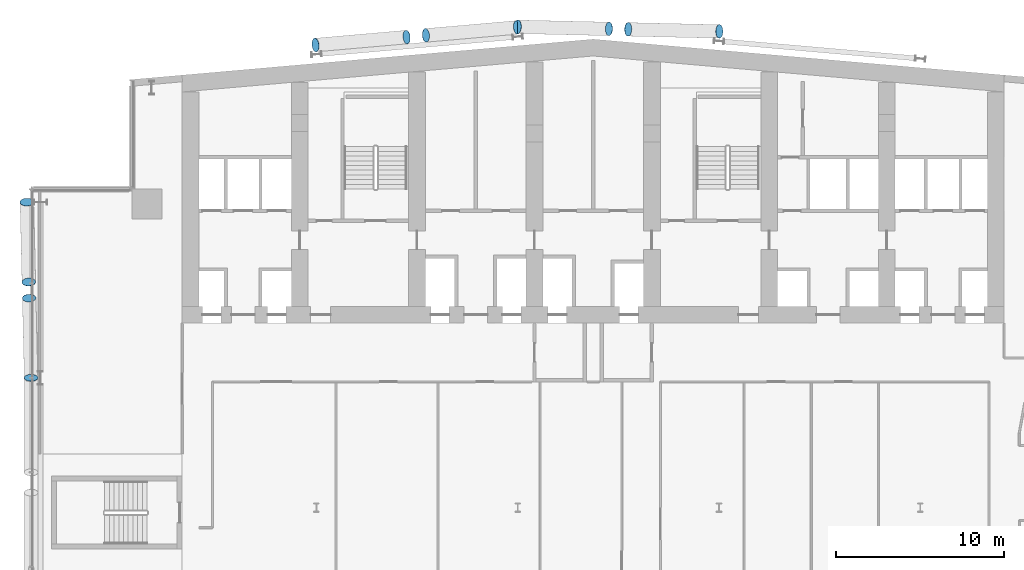
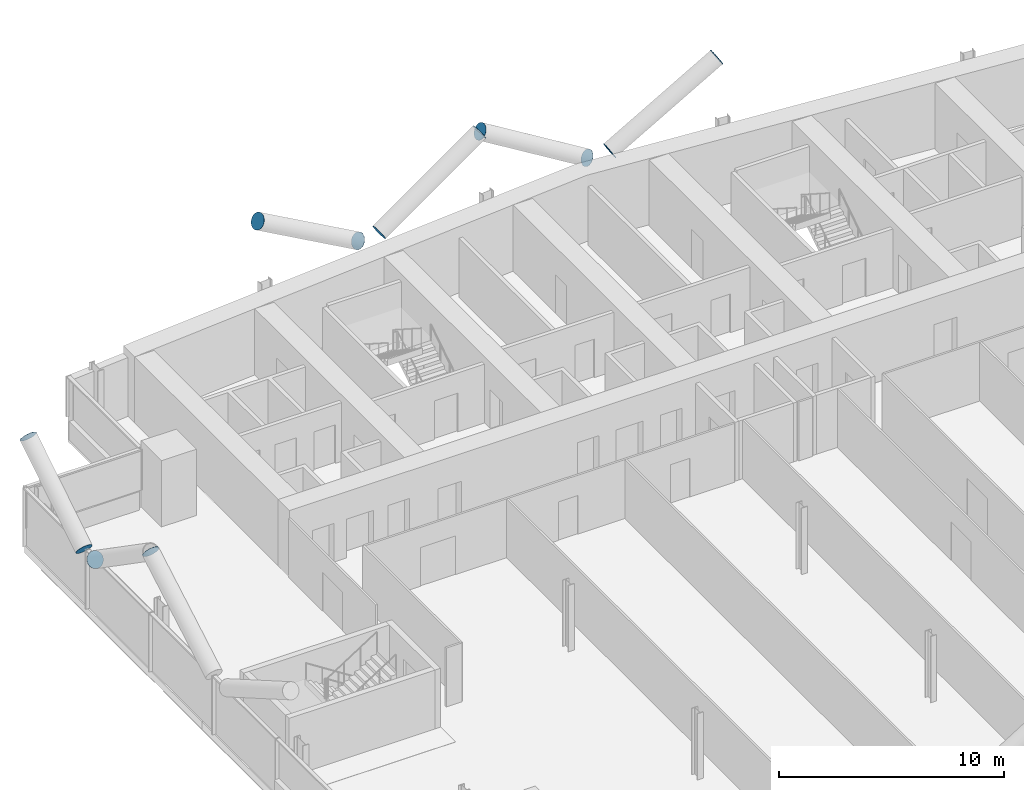
# One storey, part 21 of 26: 12 discrete accessories.
"""IFC4 building model written with IfcOpenShell, lengths in metres."""

from ifc_helpers import new_model, si_unit, direction, frame, origin, origin_2d, place, context, subcontext, project, spatial, circle, extrude, material, material_profile, profile_set, type_object, element, save


model = new_model("IFC4")

# Units and contexts
model_context = context("Model", 3, precision=1e-05, world=origin(), true_north=direction((0.0, 1.0)))
body_context = subcontext(model_context, "Body", "Model", "MODEL_VIEW")
ifc_project = project(units=[si_unit("LENGTHUNIT", "METRE"), si_unit("AREAUNIT", "SQUARE_METRE"), si_unit("VOLUMEUNIT", "CUBIC_METRE"), si_unit("PLANEANGLEUNIT", "RADIAN"), si_unit("MASSUNIT", "GRAM", prefix="KILO")], contexts=[model_context])

# Site, building, storey
site_placement = place(None, origin())
site = spatial("IfcSite", under=ifc_project, at=site_placement, CompositionType="ELEMENT")
building_placement = place(site_placement, origin())
building = spatial("IfcBuilding", under=site, at=building_placement, Name="Wharfspan Tower", CompositionType="ELEMENT")
storey_placement = place(building_placement, frame((0.0, 0.0, 125.5)))
storey = spatial("IfcBuildingStorey", under=building, at=storey_placement, Name="L29", CompositionType="ELEMENT", Elevation=125.5)

# Discrete accessories
ifc_material = material(Name="Steel S460NH", Category="steel")
ifc_material_profile = material_profile(ifc_material, circle(Radius=0.406494, at=origin_2d()))
ifc_profile_set = profile_set([ifc_material_profile], Name="Steel S460NH")
discrete_accessory_type = type_object("IfcDiscreteAccessoryType", Name="End plate CHS 813x40", PredefinedType="BRACKET", material=ifc_profile_set)
discrete_accessory_1_placement = place(storey_placement, frame((6.985107, 30.733398, 6.5), z_axis=(0.0, 0.868243, 0.496139), x_axis=(-1.0, 0.0, 0.0)))
element("IfcDiscreteAccessory", 1, at=discrete_accessory_1_placement, inside=storey, type_object=discrete_accessory_type, Name="End plate CHS 813x40", PredefinedType="BRACKET", context=body_context, shape_type="SweptSolid", body=[
    extrude(circle(Radius=0.406494, at=origin_2d()), origin(), (0.0, 0.0, 1.0), 0.009766),
])
discrete_accessory_2_placement = place(storey_placement, frame((6.87085, 35.494385, 3.227295), z_axis=(0.024354, -0.828038, 0.560143), x_axis=(0.999568, 0.029399, 0.0)))
element("IfcDiscreteAccessory", 2, at=discrete_accessory_2_placement, inside=storey, type_object=discrete_accessory_type, Name="End plate CHS 813x40", PredefinedType="BRACKET", context=body_context, shape_type="SweptSolid", body=[
    extrude(circle(Radius=0.406494, at=origin_2d()), origin(), (0.0, 0.0, 1.0), 0.01001),
])
discrete_accessory_3_placement = place(storey_placement, frame((6.848145, 36.447021, 3.227295), z_axis=(-0.024853, 0.820145, 0.571616), x_axis=(-0.999542, -0.03029, 1e-06)))
element("IfcDiscreteAccessory", 3, at=discrete_accessory_3_placement, inside=storey, type_object=discrete_accessory_type, Name="End plate CHS 813x40", PredefinedType="BRACKET", context=body_context, shape_type="SweptSolid", body=[
    extrude(circle(Radius=0.406494, at=origin_2d()), origin(), (0.0, 0.0, 1.0), 0.009766),
])
for number, where, z_axis, x_axis, name in (
    (4, (6.734131, 41.208008, 6.5), (-0.024354, 0.828038, 0.560143), (-0.999568, -0.029399, 0.0), "End plate CHS 813x40"),
    (5, (42.581787, 51.515137, 3.241455), (0.857236, -0.024492, 0.514341), (0.028558, 0.999591, 2e-06), "End plate CHS 813x40"),
    (6, (48.012695, 51.390381, 6.5), (0.857493, 0.0, 0.514496), (0.0, 1.0, 0.0), "End plate CHS 813x40"),
    (7, (41.443604, 51.54126, 3.241455), (-0.857236, 0.024492, 0.514341), (-0.028558, -0.999591, 2e-06), "End plate CHS 813x40"),
    (8, (36.012939, 51.665771, 6.5), (-0.857236, 0.024492, 0.514341), (-0.028558, -0.999591, 2e-06), "End plate CHS 813x40"),
    (9, (30.52124, 51.156006, 3.241699), (0.855186, 0.073302, 0.513112), (-0.085402, 0.996345, 1e-06), "End plate CHS 813x40"),
    (10, (35.95166, 51.631104, 6.5), (0.855186, 0.073302, 0.513112), (-0.085402, 0.996345, 1e-06), "End plate CHS 813x40"),
    (11, (29.381836, 51.056396, 3.241699), (-0.853405, -0.097532, 0.512043), (0.113547, -0.993531, 1e-06), "End plate CHS 813x40"),
):
    element("IfcDiscreteAccessory", number, at=place(storey_placement, frame(where, z_axis=z_axis, x_axis=x_axis)), inside=storey, type_object=discrete_accessory_type, Name=name, PredefinedType="BRACKET", context=body_context, shape_type="SweptSolid", body=[
        extrude(circle(Radius=0.406494, at=origin_2d()), origin(), (0.0, 0.0, 1.0), 0.01001),
    ])
discrete_accessory_4_placement = place(storey_placement, frame((23.95166, 50.581299, 6.5), z_axis=(-0.859828, -0.095536, 0.501566), x_axis=(0.11043, -0.99388, -1e-06)))
element("IfcDiscreteAccessory", 12, at=discrete_accessory_4_placement, inside=storey, type_object=discrete_accessory_type, Name="End plate CHS 813x40", PredefinedType="BRACKET", context=body_context, shape_type="SweptSolid", body=[
    extrude(circle(Radius=0.406494, at=origin_2d()), origin(), (0.0, 0.0, 1.0), 0.010254),
])

save(model, "model.ifc")
